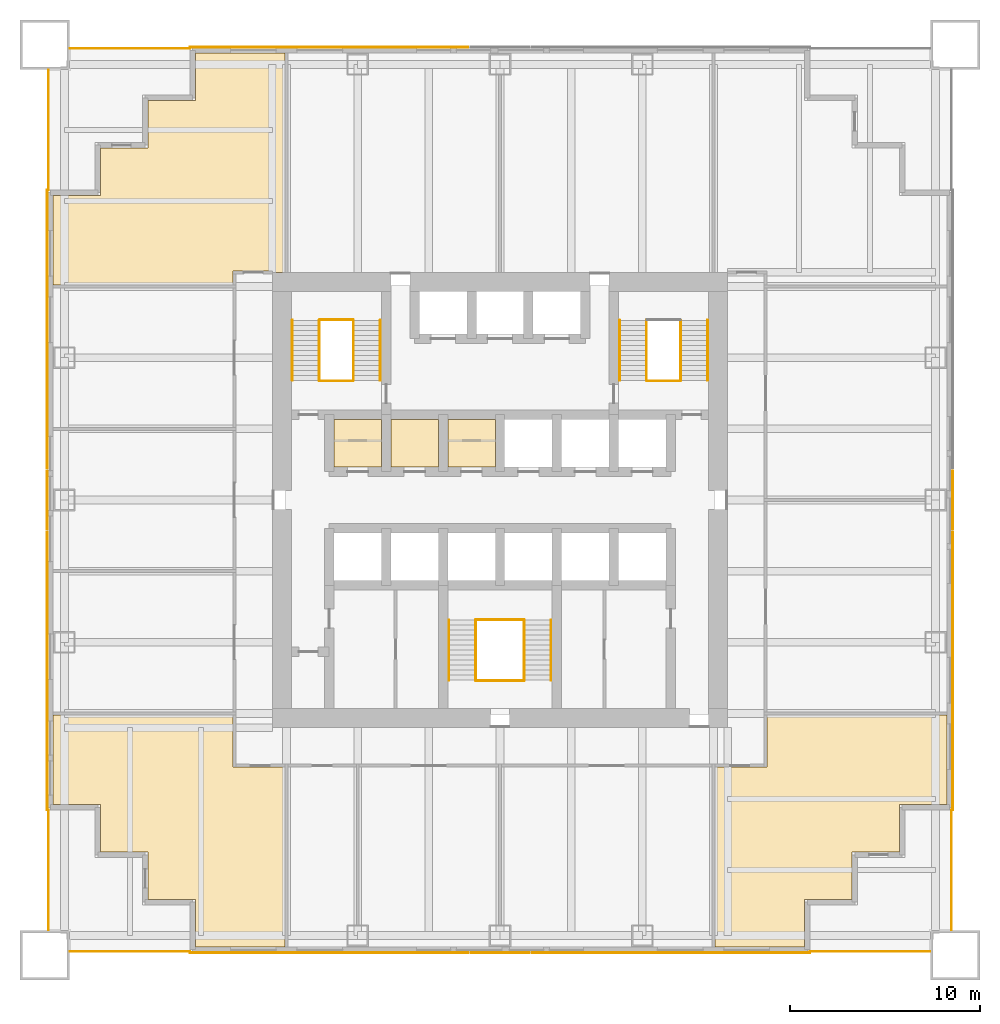
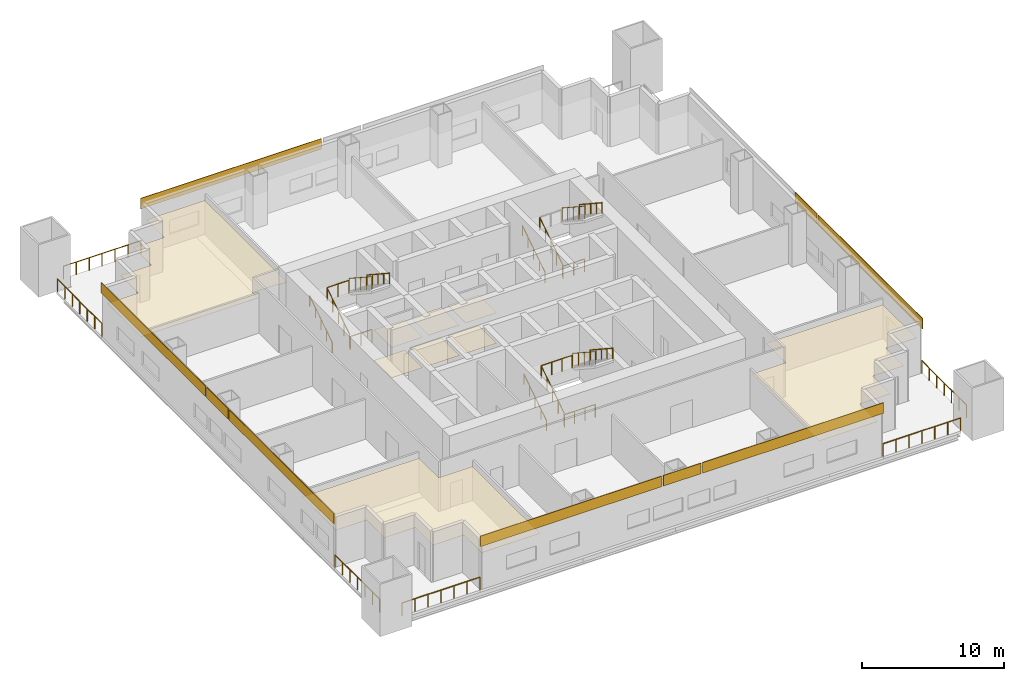
# One storey, part 6 of 7: 23 railings, 18 coverings.
"""IFC4 building model written with IfcOpenShell, lengths in metres."""

from ifc_helpers import new_model, si_unit, direction, frame, origin, origin_2d, place, context, subcontext, project, spatial, polyline, rectangle, circle, outline, extrude, material, layer, layer_set, type_object, element, save


model = new_model("IFC4")

# Units and contexts
model_context = context("Model", 3, precision=1e-05, world=origin(), true_north=direction((0.0, 1.0)))
body_context = subcontext(model_context, "Body", "Model", "MODEL_VIEW")
ifc_project = project(units=[si_unit("LENGTHUNIT", "METRE"), si_unit("AREAUNIT", "SQUARE_METRE"), si_unit("VOLUMEUNIT", "CUBIC_METRE"), si_unit("PLANEANGLEUNIT", "RADIAN"), si_unit("MASSUNIT", "GRAM", prefix="KILO")], contexts=[model_context])

# Site, building, storey
site_placement = place(None, origin())
site = spatial("IfcSite", under=ifc_project, at=site_placement, CompositionType="ELEMENT")
building_placement = place(site_placement, origin())
building = spatial("IfcBuilding", under=site, at=building_placement, Name="Tarangal Relay Tower", CompositionType="ELEMENT")
storey_placement = place(building_placement, frame((0.0, 0.0, 149.39990234375)))
storey = spatial("IfcBuildingStorey", under=building, at=storey_placement, Name="L30", CompositionType="ELEMENT", Elevation=149.39990234375)

# Coverings
ifc_material_1 = material(Name="Anti-static vinyl flooring", Category="plastic")
ifc_layer_1 = layer(ifc_material_1, 0.010009765625)
ifc_layer_set_1 = layer_set([ifc_layer_1], Name="Anti-static vinyl floor")
covering_type_1 = type_object("IfcCoveringType", Name="Anti-static vinyl floor", PredefinedType="FLOORING", material=ifc_layer_set_1)
covering_1_placement = place(storey_placement, origin())
element("IfcCovering", 1, at=covering_1_placement, inside=storey, type_object=covering_type_1, Name="Floor finish FL1 L30-D1", PredefinedType="FLOORING", context=body_context, shape_type="SweptSolid", body=[
    extrude(outline(polyline([(-8.75, 1.75), (-6.25, 1.75), (-6.25, 4.25), (-8.75, 4.25), (-8.75, 1.75)])), origin(), (0.0, 0.0, 1.0), 0.010009765625),
])
covering_2_placement = place(storey_placement, origin())
element("IfcCovering", 2, at=covering_2_placement, inside=storey, type_object=covering_type_1, Name="Floor finish FL1 L30-D2", PredefinedType="FLOORING", context=body_context, shape_type="SweptSolid", body=[
    extrude(outline(polyline([(-5.75, 1.75), (-3.25, 1.75), (-3.25, 4.25), (-5.75, 4.25), (-5.75, 1.75)])), origin(), (0.0, 0.0, 1.0), 0.010009765625),
])
covering_3_placement = place(storey_placement, origin())
element("IfcCovering", 3, at=covering_3_placement, inside=storey, type_object=covering_type_1, Name="Floor finish FL1 L30-D3", PredefinedType="FLOORING", context=body_context, shape_type="SweptSolid", body=[
    extrude(outline(polyline([(-2.75, 1.75), (-0.25, 1.75), (-0.25, 4.25), (-2.75, 4.25), (-2.75, 1.75)])), origin(), (0.0, 0.0, 1.0), 0.010009765625),
])
ifc_material_2 = material(Name="Black anodised aluminium cladding", Category="aluminium")
ifc_layer_2 = layer(ifc_material_2, 0.050048828125)
ifc_layer_set_2 = layer_set([ifc_layer_2], Name="Black metal spandrel band")
covering_type_2 = type_object("IfcCoveringType", Name="Black metal spandrel band", PredefinedType="CLADDING", material=ifc_layer_set_2)
covering_4_placement = place(storey_placement, frame((-9.010009765625, 23.875, 3.750244140625), z_axis=(0.0, 0.0, 1.0), x_axis=(1.0, 0.0, 0.0)))
element("IfcCovering", 4, at=covering_4_placement, inside=storey, type_object=covering_type_2, Name="Spandrel band SB1 N L30", PredefinedType="CLADDING", context=body_context, shape_type="SweptSolid", body=[
    extrude(rectangle(XDim=14.679931640625, YDim=0.050048828125, at=origin_2d()), origin(), (0.0, 0.0, 1.0), 0.89990234375),
])
covering_5_placement = place(storey_placement, frame((23.875, 0.0, 3.750244140625), z_axis=(0.0, 0.0, 1.0), x_axis=(0.0, -1.0, 0.0)))
element("IfcCovering", 5, at=covering_5_placement, inside=storey, type_object=covering_type_2, Name="Spandrel band SB1 E L30", PredefinedType="CLADDING", context=body_context, shape_type="SweptSolid", body=[
    extrude(rectangle(XDim=3.06005859375, YDim=0.050048828125, at=origin_2d()), origin(), (0.0, 0.0, 1.0), 0.89990234375),
])
for number, where, z_axis, x_axis, name in (
    (6, (23.875, -9.010009765625, 3.750244140625), (0.0, 0.0, 1.0), (0.0, -1.0, 0.0), "Spandrel band SB1 E L30"),
    (7, (9.010009765625, -23.875, 3.750244140625), (0.0, 0.0, 1.0), (-1.0, 0.0, 0.0), "Spandrel band SB1 S L30"),
):
    element("IfcCovering", number, at=place(storey_placement, frame(where, z_axis=z_axis, x_axis=x_axis)), inside=storey, type_object=covering_type_2, Name=name, PredefinedType="CLADDING", context=body_context, shape_type="SweptSolid", body=[
        extrude(rectangle(XDim=14.679931640625, YDim=0.050048828125, at=origin_2d()), origin(), (0.0, 0.0, 1.0), 0.89990234375),
    ])
covering_6_placement = place(storey_placement, frame((0.0, -23.875, 3.750244140625), z_axis=(0.0, 0.0, 1.0), x_axis=(-1.0, 0.0, 0.0)))
element("IfcCovering", 8, at=covering_6_placement, inside=storey, type_object=covering_type_2, Name="Spandrel band SB1 S L30", PredefinedType="CLADDING", context=body_context, shape_type="SweptSolid", body=[
    extrude(rectangle(XDim=3.06005859375, YDim=0.050048828125, at=origin_2d()), origin(), (0.0, 0.0, 1.0), 0.89990234375),
])
for number, where, z_axis, x_axis, name in (
    (9, (-9.010009765625, -23.875, 3.750244140625), (0.0, 0.0, 1.0), (-1.0, 0.0, 0.0), "Spandrel band SB1 S L30"),
    (10, (-23.875, -9.010009765625, 3.750244140625), (0.0, 0.0, 1.0), (0.0, 1.0, 0.0), "Spandrel band SB1 W L30"),
):
    element("IfcCovering", number, at=place(storey_placement, frame(where, z_axis=z_axis, x_axis=x_axis)), inside=storey, type_object=covering_type_2, Name=name, PredefinedType="CLADDING", context=body_context, shape_type="SweptSolid", body=[
        extrude(rectangle(XDim=14.679931640625, YDim=0.050048828125, at=origin_2d()), origin(), (0.0, 0.0, 1.0), 0.89990234375),
    ])
covering_7_placement = place(storey_placement, frame((-23.875, 0.0, 3.750244140625), z_axis=(0.0, 0.0, 1.0), x_axis=(0.0, 1.0, 0.0)))
element("IfcCovering", 11, at=covering_7_placement, inside=storey, type_object=covering_type_2, Name="Spandrel band SB1 W L30", PredefinedType="CLADDING", context=body_context, shape_type="SweptSolid", body=[
    extrude(rectangle(XDim=3.06005859375, YDim=0.050048828125, at=origin_2d()), origin(), (0.0, 0.0, 1.0), 0.89990234375),
])
covering_8_placement = place(storey_placement, frame((-23.875, 9.010009765625, 3.750244140625), z_axis=(0.0, 0.0, 1.0), x_axis=(0.0, 1.0, 0.0)))
element("IfcCovering", 12, at=covering_8_placement, inside=storey, type_object=covering_type_2, Name="Spandrel band SB1 W L30", PredefinedType="CLADDING", context=body_context, shape_type="SweptSolid", body=[
    extrude(rectangle(XDim=14.679931640625, YDim=0.050048828125, at=origin_2d()), origin(), (0.0, 0.0, 1.0), 0.89990234375),
])

# Railings
ifc_material_3 = material(Name="Steel guard, black finish", Category="steel")
railing_type_1 = type_object("IfcRailingType", Name="Stair guard 1100", PredefinedType="GUARDRAIL", material=ifc_material_3)
railing_1_placement = place(storey_placement, frame((-9.530029296875, 6.300048828125, 0.173095703125)))
element("IfcRailing", 13, at=railing_1_placement, inside=storey, type_object=railing_type_1, Name="Stair ST-A guard GR1 L30 flight 1", PredefinedType="GUARDRAIL", context=body_context, shape_type="SweptSolid", body=[
    extrude(circle(Radius=0.02392578125, at=origin_2d()), frame((0.0, 0.0, 1.076171875), z_axis=(0.0, 0.83629911093, 0.548273469226), x_axis=(-1.0, 0.0, 0.0)), (0.0, 0.0, 1.0), 3.7880859375),
    extrude(circle(Radius=0.02099609375, at=origin_2d()), origin(), (0.0, 0.0, 1.0), 1.052001953125),
    extrude(circle(Radius=0.02099609375, at=origin_2d()), frame((0.0, 0.7919921875, 0.519287109375)), (0.0, 0.0, 1.0), 1.052001953125),
    extrude(circle(Radius=0.02099609375, at=origin_2d()), frame((0.0, 1.583984375, 1.03857421875)), (0.0, 0.0, 1.0), 1.052001953125),
    extrude(circle(Radius=0.02099609375, at=origin_2d()), frame((0.0, 2.3759765625, 1.5576171875)), (0.0, 0.0, 1.0), 1.052001953125),
    extrude(circle(Radius=0.02099609375, at=origin_2d()), frame((0.0, 3.16796875, 2.076904296875)), (0.0, 0.0, 1.0), 1.052001953125),
])
railing_2_placement = place(storey_placement, frame((-7.719970703125, 9.468017578125, 2.423095703125)))
element("IfcRailing", 14, at=railing_2_placement, inside=storey, type_object=railing_type_1, Name="Stair ST-A guard GR1 L30 flight 2", PredefinedType="GUARDRAIL", context=body_context, shape_type="SweptSolid", body=[
    extrude(circle(Radius=0.02392578125, at=origin_2d()), frame((0.0, 0.0, 1.076171875), z_axis=(0.0, -0.83629911093, 0.548273469226), x_axis=(1.0, 0.0, 0.0)), (0.0, 0.0, 1.0), 3.7880859375),
    extrude(circle(Radius=0.02099609375, at=origin_2d()), origin(), (0.0, 0.0, 1.0), 1.052001953125),
    extrude(circle(Radius=0.02099609375, at=origin_2d()), frame((0.0, -0.7919921875, 0.519287109375)), (0.0, 0.0, 1.0), 1.052001953125),
    extrude(circle(Radius=0.02099609375, at=origin_2d()), frame((0.0, -1.583984375, 1.03857421875)), (0.0, 0.0, 1.0), 1.052001953125),
    extrude(circle(Radius=0.02099609375, at=origin_2d()), frame((0.0, -2.3759765625, 1.5576171875)), (0.0, 0.0, 1.0), 1.052001953125),
    extrude(circle(Radius=0.02099609375, at=origin_2d()), frame((0.0, -3.16796875, 2.076904296875)), (0.0, 0.0, 1.0), 1.052001953125),
])
for number, where, name in (
    (15, (-9.5, 6.27001953125, 0.0), "Stair ST-A landing guard GR1 L30"),
    (16, (-9.5, 9.498046875, 2.25), "Stair ST-A landing guard GR1 L30"),
):
    element("IfcRailing", number, at=place(storey_placement, frame(where)), inside=storey, type_object=railing_type_1, Name=name, PredefinedType="GUARDRAIL", context=body_context, shape_type="SweptSolid", body=[
        extrude(circle(Radius=0.02392578125, at=origin_2d()), frame((0.0, 0.0, 1.076171875), z_axis=(1.0, 0.0, 0.0), x_axis=(0.0, 1.0, 0.0)), (0.0, 0.0, 1.0), 1.75),
        extrude(circle(Radius=0.02099609375, at=origin_2d()), origin(), (0.0, 0.0, 1.0), 1.052001953125),
        extrude(circle(Radius=0.02099609375, at=origin_2d()), frame((0.875, 0.0, 0.0)), (0.0, 0.0, 1.0), 1.052001953125),
        extrude(circle(Radius=0.02099609375, at=origin_2d()), frame((1.75, 0.0, 0.0)), (0.0, 0.0, 1.0), 1.052001953125),
    ])
railing_3_placement = place(storey_placement, frame((7.719970703125, 6.300048828125, 0.173095703125)))
element("IfcRailing", 17, at=railing_3_placement, inside=storey, type_object=railing_type_1, Name="Stair ST-B guard GR1 L30 flight 1", PredefinedType="GUARDRAIL", context=body_context, shape_type="SweptSolid", body=[
    extrude(circle(Radius=0.02392578125, at=origin_2d()), frame((0.0, 0.0, 1.076171875), z_axis=(0.0, 0.83629911093, 0.548273469226), x_axis=(-1.0, 0.0, 0.0)), (0.0, 0.0, 1.0), 3.7880859375),
    extrude(circle(Radius=0.02099609375, at=origin_2d()), origin(), (0.0, 0.0, 1.0), 1.052001953125),
    extrude(circle(Radius=0.02099609375, at=origin_2d()), frame((0.0, 0.7919921875, 0.519287109375)), (0.0, 0.0, 1.0), 1.052001953125),
    extrude(circle(Radius=0.02099609375, at=origin_2d()), frame((0.0, 1.583984375, 1.03857421875)), (0.0, 0.0, 1.0), 1.052001953125),
    extrude(circle(Radius=0.02099609375, at=origin_2d()), frame((0.0, 2.3759765625, 1.5576171875)), (0.0, 0.0, 1.0), 1.052001953125),
    extrude(circle(Radius=0.02099609375, at=origin_2d()), frame((0.0, 3.16796875, 2.076904296875)), (0.0, 0.0, 1.0), 1.052001953125),
])
railing_4_placement = place(storey_placement, frame((9.530029296875, 9.468017578125, 2.423095703125)))
element("IfcRailing", 18, at=railing_4_placement, inside=storey, type_object=railing_type_1, Name="Stair ST-B guard GR1 L30 flight 2", PredefinedType="GUARDRAIL", context=body_context, shape_type="SweptSolid", body=[
    extrude(circle(Radius=0.02392578125, at=origin_2d()), frame((0.0, 0.0, 1.076171875), z_axis=(0.0, -0.83629911093, 0.548273469226), x_axis=(1.0, 0.0, 0.0)), (0.0, 0.0, 1.0), 3.7880859375),
    extrude(circle(Radius=0.02099609375, at=origin_2d()), origin(), (0.0, 0.0, 1.0), 1.052001953125),
    extrude(circle(Radius=0.02099609375, at=origin_2d()), frame((0.0, -0.7919921875, 0.519287109375)), (0.0, 0.0, 1.0), 1.052001953125),
    extrude(circle(Radius=0.02099609375, at=origin_2d()), frame((0.0, -1.583984375, 1.03857421875)), (0.0, 0.0, 1.0), 1.052001953125),
    extrude(circle(Radius=0.02099609375, at=origin_2d()), frame((0.0, -2.3759765625, 1.5576171875)), (0.0, 0.0, 1.0), 1.052001953125),
    extrude(circle(Radius=0.02099609375, at=origin_2d()), frame((0.0, -3.16796875, 2.076904296875)), (0.0, 0.0, 1.0), 1.052001953125),
])
railing_5_placement = place(storey_placement, frame((7.75, 6.27001953125, 0.0)))
element("IfcRailing", 19, at=railing_5_placement, inside=storey, type_object=railing_type_1, Name="Stair ST-B landing guard GR1 L30", PredefinedType="GUARDRAIL", context=body_context, shape_type="SweptSolid", body=[
    extrude(circle(Radius=0.02392578125, at=origin_2d()), frame((0.0, 0.0, 1.076171875), z_axis=(1.0, 0.0, 0.0), x_axis=(0.0, 1.0, 0.0)), (0.0, 0.0, 1.0), 1.75),
    extrude(circle(Radius=0.02099609375, at=origin_2d()), origin(), (0.0, 0.0, 1.0), 1.052001953125),
    extrude(circle(Radius=0.02099609375, at=origin_2d()), frame((0.875, 0.0, 0.0)), (0.0, 0.0, 1.0), 1.052001953125),
    extrude(circle(Radius=0.02099609375, at=origin_2d()), frame((1.75, 0.0, 0.0)), (0.0, 0.0, 1.0), 1.052001953125),
])
railing_6_placement = place(storey_placement, frame((-1.280029296875, -9.5, 0.173095703125)))
element("IfcRailing", 20, at=railing_6_placement, inside=storey, type_object=railing_type_1, Name="Stair ST-C guard GR1 L30 flight 1", PredefinedType="GUARDRAIL", context=body_context, shape_type="SweptSolid", body=[
    extrude(circle(Radius=0.02392578125, at=origin_2d()), frame((0.0, 0.0, 1.076171875), z_axis=(0.0, 0.83629911093, 0.548273469226), x_axis=(-1.0, 0.0, 0.0)), (0.0, 0.0, 1.0), 3.7880859375),
    extrude(circle(Radius=0.02099609375, at=origin_2d()), origin(), (0.0, 0.0, 1.0), 1.052001953125),
    extrude(circle(Radius=0.02099609375, at=origin_2d()), frame((0.0, 0.7919921875, 0.519287109375)), (0.0, 0.0, 1.0), 1.052001953125),
    extrude(circle(Radius=0.02099609375, at=origin_2d()), frame((0.0, 1.583984375, 1.03857421875)), (0.0, 0.0, 1.0), 1.052001953125),
    extrude(circle(Radius=0.02099609375, at=origin_2d()), frame((0.0, 2.3759765625, 1.5576171875)), (0.0, 0.0, 1.0), 1.052001953125),
    extrude(circle(Radius=0.02099609375, at=origin_2d()), frame((0.0, 3.16796875, 2.076904296875)), (0.0, 0.0, 1.0), 1.052001953125),
])
railing_7_placement = place(storey_placement, frame((1.280029296875, -6.33203125, 2.423095703125)))
element("IfcRailing", 21, at=railing_7_placement, inside=storey, type_object=railing_type_1, Name="Stair ST-C guard GR1 L30 flight 2", PredefinedType="GUARDRAIL", context=body_context, shape_type="SweptSolid", body=[
    extrude(circle(Radius=0.02392578125, at=origin_2d()), frame((0.0, 0.0, 1.076171875), z_axis=(0.0, -0.83629911093, 0.548273469226), x_axis=(1.0, 0.0, 0.0)), (0.0, 0.0, 1.0), 3.7880859375),
    extrude(circle(Radius=0.02099609375, at=origin_2d()), origin(), (0.0, 0.0, 1.0), 1.052001953125),
    extrude(circle(Radius=0.02099609375, at=origin_2d()), frame((0.0, -0.7919921875, 0.519287109375)), (0.0, 0.0, 1.0), 1.052001953125),
    extrude(circle(Radius=0.02099609375, at=origin_2d()), frame((0.0, -1.583984375, 1.03857421875)), (0.0, 0.0, 1.0), 1.052001953125),
    extrude(circle(Radius=0.02099609375, at=origin_2d()), frame((0.0, -2.3759765625, 1.5576171875)), (0.0, 0.0, 1.0), 1.052001953125),
    extrude(circle(Radius=0.02099609375, at=origin_2d()), frame((0.0, -3.16796875, 2.076904296875)), (0.0, 0.0, 1.0), 1.052001953125),
])
for number, where, name in (
    (22, (-1.25, -9.530029296875, 0.0), "Stair ST-C landing guard GR1 L30"),
    (23, (-1.25, -6.302001953125, 2.25), "Stair ST-C landing guard GR1 L30"),
):
    element("IfcRailing", number, at=place(storey_placement, frame(where)), inside=storey, type_object=railing_type_1, Name=name, PredefinedType="GUARDRAIL", context=body_context, shape_type="SweptSolid", body=[
        extrude(circle(Radius=0.02392578125, at=origin_2d()), frame((0.0, 0.0, 1.076171875), z_axis=(1.0, 0.0, 0.0), x_axis=(0.0, 1.0, 0.0)), (0.0, 0.0, 1.0), 2.5),
        extrude(circle(Radius=0.02099609375, at=origin_2d()), origin(), (0.0, 0.0, 1.0), 1.052001953125),
        extrude(circle(Radius=0.02099609375, at=origin_2d()), frame((0.833251953125, 0.0, 0.0)), (0.0, 0.0, 1.0), 1.052001953125),
        extrude(circle(Radius=0.02099609375, at=origin_2d()), frame((1.666748046875, 0.0, 0.0)), (0.0, 0.0, 1.0), 1.052001953125),
        extrude(circle(Radius=0.02099609375, at=origin_2d()), frame((2.5, 0.0, 0.0)), (0.0, 0.0, 1.0), 1.052001953125),
    ])
ifc_material_4 = material(Name="Steel handrail, black finish", Category="steel")
railing_type_2 = type_object("IfcRailingType", Name="Stair handrail 900", PredefinedType="HANDRAIL", material=ifc_material_4)
railing_8_placement = place(storey_placement, frame((-10.93994140625, 6.300048828125, 0.173095703125)))
element("IfcRailing", 24, at=railing_8_placement, inside=storey, type_object=railing_type_2, Name="Stair ST-A handrail HR1 L30 flight 1", PredefinedType="HANDRAIL", context=body_context, shape_type="SweptSolid", body=[
    extrude(circle(Radius=0.02392578125, at=origin_2d()), frame((0.0, 0.0, 0.8759765625), z_axis=(0.0, 0.83629911093, 0.548273469226), x_axis=(-1.0, 0.0, 0.0)), (0.0, 0.0, 1.0), 3.7880859375),
    extrude(circle(Radius=0.02099609375, at=origin_2d()), origin(), (0.0, 0.0, 1.0), 0.851806640625),
    extrude(circle(Radius=0.02099609375, at=origin_2d()), frame((0.0, 0.7919921875, 0.519287109375)), (0.0, 0.0, 1.0), 0.851806640625),
    extrude(circle(Radius=0.02099609375, at=origin_2d()), frame((0.0, 1.583984375, 1.03857421875)), (0.0, 0.0, 1.0), 0.851806640625),
    extrude(circle(Radius=0.02099609375, at=origin_2d()), frame((0.0, 2.3759765625, 1.5576171875)), (0.0, 0.0, 1.0), 0.851806640625),
    extrude(circle(Radius=0.02099609375, at=origin_2d()), frame((0.0, 3.16796875, 2.076904296875)), (0.0, 0.0, 1.0), 0.851806640625),
])
railing_9_placement = place(storey_placement, frame((-6.31005859375, 9.468017578125, 2.423095703125)))
element("IfcRailing", 25, at=railing_9_placement, inside=storey, type_object=railing_type_2, Name="Stair ST-A handrail HR1 L30 flight 2", PredefinedType="HANDRAIL", context=body_context, shape_type="SweptSolid", body=[
    extrude(circle(Radius=0.02392578125, at=origin_2d()), frame((0.0, 0.0, 0.8759765625), z_axis=(0.0, -0.83629911093, 0.548273469226), x_axis=(1.0, 0.0, 0.0)), (0.0, 0.0, 1.0), 3.7880859375),
    extrude(circle(Radius=0.02099609375, at=origin_2d()), origin(), (0.0, 0.0, 1.0), 0.851806640625),
    extrude(circle(Radius=0.02099609375, at=origin_2d()), frame((0.0, -0.7919921875, 0.519287109375)), (0.0, 0.0, 1.0), 0.851806640625),
    extrude(circle(Radius=0.02099609375, at=origin_2d()), frame((0.0, -1.583984375, 1.03857421875)), (0.0, 0.0, 1.0), 0.851806640625),
    extrude(circle(Radius=0.02099609375, at=origin_2d()), frame((0.0, -2.3759765625, 1.5576171875)), (0.0, 0.0, 1.0), 0.851806640625),
    extrude(circle(Radius=0.02099609375, at=origin_2d()), frame((0.0, -3.16796875, 2.076904296875)), (0.0, 0.0, 1.0), 0.851806640625),
])
railing_10_placement = place(storey_placement, frame((6.31005859375, 6.300048828125, 0.173095703125)))
element("IfcRailing", 26, at=railing_10_placement, inside=storey, type_object=railing_type_2, Name="Stair ST-B handrail HR1 L30 flight 1", PredefinedType="HANDRAIL", context=body_context, shape_type="SweptSolid", body=[
    extrude(circle(Radius=0.02392578125, at=origin_2d()), frame((0.0, 0.0, 0.8759765625), z_axis=(0.0, 0.83629911093, 0.548273469226), x_axis=(-1.0, 0.0, 0.0)), (0.0, 0.0, 1.0), 3.7880859375),
    extrude(circle(Radius=0.02099609375, at=origin_2d()), origin(), (0.0, 0.0, 1.0), 0.851806640625),
    extrude(circle(Radius=0.02099609375, at=origin_2d()), frame((0.0, 0.7919921875, 0.519287109375)), (0.0, 0.0, 1.0), 0.851806640625),
    extrude(circle(Radius=0.02099609375, at=origin_2d()), frame((0.0, 1.583984375, 1.03857421875)), (0.0, 0.0, 1.0), 0.851806640625),
    extrude(circle(Radius=0.02099609375, at=origin_2d()), frame((0.0, 2.3759765625, 1.5576171875)), (0.0, 0.0, 1.0), 0.851806640625),
    extrude(circle(Radius=0.02099609375, at=origin_2d()), frame((0.0, 3.16796875, 2.076904296875)), (0.0, 0.0, 1.0), 0.851806640625),
])
railing_11_placement = place(storey_placement, frame((10.93994140625, 9.468017578125, 2.423095703125)))
element("IfcRailing", 27, at=railing_11_placement, inside=storey, type_object=railing_type_2, Name="Stair ST-B handrail HR1 L30 flight 2", PredefinedType="HANDRAIL", context=body_context, shape_type="SweptSolid", body=[
    extrude(circle(Radius=0.02392578125, at=origin_2d()), frame((0.0, 0.0, 0.8759765625), z_axis=(0.0, -0.83629911093, 0.548273469226), x_axis=(1.0, 0.0, 0.0)), (0.0, 0.0, 1.0), 3.7880859375),
    extrude(circle(Radius=0.02099609375, at=origin_2d()), origin(), (0.0, 0.0, 1.0), 0.851806640625),
    extrude(circle(Radius=0.02099609375, at=origin_2d()), frame((0.0, -0.7919921875, 0.519287109375)), (0.0, 0.0, 1.0), 0.851806640625),
    extrude(circle(Radius=0.02099609375, at=origin_2d()), frame((0.0, -1.583984375, 1.03857421875)), (0.0, 0.0, 1.0), 0.851806640625),
    extrude(circle(Radius=0.02099609375, at=origin_2d()), frame((0.0, -2.3759765625, 1.5576171875)), (0.0, 0.0, 1.0), 0.851806640625),
    extrude(circle(Radius=0.02099609375, at=origin_2d()), frame((0.0, -3.16796875, 2.076904296875)), (0.0, 0.0, 1.0), 0.851806640625),
])
railing_12_placement = place(storey_placement, frame((-2.68994140625, -9.5, 0.173095703125)))
element("IfcRailing", 28, at=railing_12_placement, inside=storey, type_object=railing_type_2, Name="Stair ST-C handrail HR1 L30 flight 1", PredefinedType="HANDRAIL", context=body_context, shape_type="SweptSolid", body=[
    extrude(circle(Radius=0.02392578125, at=origin_2d()), frame((0.0, 0.0, 0.8759765625), z_axis=(0.0, 0.83629911093, 0.548273469226), x_axis=(-1.0, 0.0, 0.0)), (0.0, 0.0, 1.0), 3.7880859375),
    extrude(circle(Radius=0.02099609375, at=origin_2d()), origin(), (0.0, 0.0, 1.0), 0.851806640625),
    extrude(circle(Radius=0.02099609375, at=origin_2d()), frame((0.0, 0.7919921875, 0.519287109375)), (0.0, 0.0, 1.0), 0.851806640625),
    extrude(circle(Radius=0.02099609375, at=origin_2d()), frame((0.0, 1.583984375, 1.03857421875)), (0.0, 0.0, 1.0), 0.851806640625),
    extrude(circle(Radius=0.02099609375, at=origin_2d()), frame((0.0, 2.3759765625, 1.5576171875)), (0.0, 0.0, 1.0), 0.851806640625),
    extrude(circle(Radius=0.02099609375, at=origin_2d()), frame((0.0, 3.16796875, 2.076904296875)), (0.0, 0.0, 1.0), 0.851806640625),
])
railing_13_placement = place(storey_placement, frame((2.68994140625, -6.33203125, 2.423095703125)))
element("IfcRailing", 29, at=railing_13_placement, inside=storey, type_object=railing_type_2, Name="Stair ST-C handrail HR1 L30 flight 2", PredefinedType="HANDRAIL", context=body_context, shape_type="SweptSolid", body=[
    extrude(circle(Radius=0.02392578125, at=origin_2d()), frame((0.0, 0.0, 0.8759765625), z_axis=(0.0, -0.83629911093, 0.548273469226), x_axis=(1.0, 0.0, 0.0)), (0.0, 0.0, 1.0), 3.7880859375),
    extrude(circle(Radius=0.02099609375, at=origin_2d()), origin(), (0.0, 0.0, 1.0), 0.851806640625),
    extrude(circle(Radius=0.02099609375, at=origin_2d()), frame((0.0, -0.7919921875, 0.519287109375)), (0.0, 0.0, 1.0), 0.851806640625),
    extrude(circle(Radius=0.02099609375, at=origin_2d()), frame((0.0, -1.583984375, 1.03857421875)), (0.0, 0.0, 1.0), 0.851806640625),
    extrude(circle(Radius=0.02099609375, at=origin_2d()), frame((0.0, -2.3759765625, 1.5576171875)), (0.0, 0.0, 1.0), 0.851806640625),
    extrude(circle(Radius=0.02099609375, at=origin_2d()), frame((0.0, -3.16796875, 2.076904296875)), (0.0, 0.0, 1.0), 0.851806640625),
])

# Coverings
ifc_material_5 = material(Name="Mineral fibre ceiling tiles", Category="gypsum")
ifc_layer_3 = layer(ifc_material_5, 0.02001953125)
ifc_layer_set_3 = layer_set([ifc_layer_3], Name="Suspended ceiling")
covering_type_3 = type_object("IfcCoveringType", Name="Suspended ceiling", PredefinedType="CEILING", material=ifc_layer_set_3)
covering_9_placement = place(storey_placement, frame((0.0, 0.0, 2.60009765625)))
element("IfcCovering", 30, at=covering_9_placement, inside=storey, type_object=covering_type_3, Name="Suspended ceiling CL1 L30-D1", PredefinedType="CEILING", context=body_context, shape_type="SweptSolid", body=[
    extrude(outline(polyline([(-8.75, 1.75), (-6.25, 1.75), (-6.25, 4.25), (-8.75, 4.25), (-8.75, 1.75)])), origin(), (0.0, 0.0, 1.0), 0.02001953125),
])
covering_10_placement = place(storey_placement, frame((0.0, 0.0, 2.60009765625)))
element("IfcCovering", 31, at=covering_10_placement, inside=storey, type_object=covering_type_3, Name="Suspended ceiling CL1 L30-D2", PredefinedType="CEILING", context=body_context, shape_type="SweptSolid", body=[
    extrude(outline(polyline([(-5.75, 1.75), (-3.25, 1.75), (-3.25, 4.25), (-5.75, 4.25), (-5.75, 1.75)])), origin(), (0.0, 0.0, 1.0), 0.02001953125),
])
covering_11_placement = place(storey_placement, frame((0.0, 0.0, 2.60009765625)))
element("IfcCovering", 32, at=covering_11_placement, inside=storey, type_object=covering_type_3, Name="Suspended ceiling CL1 L30-D3", PredefinedType="CEILING", context=body_context, shape_type="SweptSolid", body=[
    extrude(outline(polyline([(-2.75, 1.75), (-0.25, 1.75), (-0.25, 4.25), (-2.75, 4.25), (-2.75, 1.75)])), origin(), (0.0, 0.0, 1.0), 0.02001953125),
])
covering_12_placement = place(storey_placement, frame((0.0, 0.0, 2.900146484375)))
element("IfcCovering", 33, at=covering_12_placement, inside=storey, type_object=covering_type_3, Name="Suspended ceiling CL1 L30-13", PredefinedType="CEILING", context=body_context, shape_type="SweptSolid", body=[
    extrude(outline(polyline([(23.550048828125, -16.050048828125), (23.550048828125, -11.324951171875), (14.074951171875, -11.324951171875), (14.074951171875, -14.074951171875), (11.324951171875, -14.074951171875), (11.324951171875, -23.550048828125), (16.050048828125, -23.550048828125), (16.050048828125, -21.050048828125), (18.550048828125, -21.050048828125), (18.550048828125, -18.550048828125), (21.050048828125, -18.550048828125), (21.050048828125, -16.050048828125), (23.550048828125, -16.050048828125)])), origin(), (0.0, 0.0, 1.0), 0.02001953125),
])
covering_13_placement = place(storey_placement, frame((0.0, 0.0, 2.900146484375)))
element("IfcCovering", 34, at=covering_13_placement, inside=storey, type_object=covering_type_3, Name="Suspended ceiling CL1 L30-14", PredefinedType="CEILING", context=body_context, shape_type="SweptSolid", body=[
    extrude(outline(polyline([(-16.050048828125, -21.050048828125), (-16.050048828125, -23.550048828125), (-11.324951171875, -23.550048828125), (-11.324951171875, -14.074951171875), (-14.074951171875, -14.074951171875), (-14.074951171875, -11.324951171875), (-23.550048828125, -11.324951171875), (-23.550048828125, -16.050048828125), (-21.050048828125, -16.050048828125), (-21.050048828125, -18.550048828125), (-18.550048828125, -18.550048828125), (-18.550048828125, -21.050048828125), (-16.050048828125, -21.050048828125)])), origin(), (0.0, 0.0, 1.0), 0.02001953125),
])
covering_14_placement = place(storey_placement, frame((0.0, 0.0, 2.900146484375)))
element("IfcCovering", 35, at=covering_14_placement, inside=storey, type_object=covering_type_3, Name="Suspended ceiling CL1 L30-15", PredefinedType="CEILING", context=body_context, shape_type="SweptSolid", body=[
    extrude(outline(polyline([(-21.050048828125, 16.050048828125), (-23.550048828125, 16.050048828125), (-23.550048828125, 11.324951171875), (-14.074951171875, 11.324951171875), (-14.074951171875, 12.074951171875), (-12.0, 12.074951171875), (-12.0, 12.0), (-11.324951171875, 12.0), (-11.324951171875, 23.550048828125), (-16.050048828125, 23.550048828125), (-16.050048828125, 21.050048828125), (-18.550048828125, 21.050048828125), (-18.550048828125, 18.550048828125), (-21.050048828125, 18.550048828125), (-21.050048828125, 16.050048828125)])), origin(), (0.0, 0.0, 1.0), 0.02001953125),
])

# Railings
ifc_material_6 = material(Name="Black steel guard with glass infill", Category="steel")
railing_type_3 = type_object("IfcRailingType", Name="Terrace guard 1100", PredefinedType="GUARDRAIL", material=ifc_material_6)
railing_14_placement = place(storey_placement, frame((23.800048828125, -16.35009765625, 0.0)))
element("IfcRailing", 36, at=railing_14_placement, inside=storey, type_object=railing_type_3, Name="Terrace guard GR2 SE L30", PredefinedType="GUARDRAIL", context=body_context, shape_type="SweptSolid", body=[
    extrude(circle(Radius=0.02392578125, at=origin_2d()), frame((0.0, 0.0, 1.076171875), z_axis=(0.0, -1.0, 0.0), x_axis=(1.0, 0.0, 0.0)), (0.0, 0.0, 1.0), 6.2998046875),
    extrude(circle(Radius=0.02099609375, at=origin_2d()), origin(), (0.0, 0.0, 1.0), 1.052001953125),
    extrude(circle(Radius=0.02099609375, at=origin_2d()), frame((0.0, -1.050048828125, 0.0)), (0.0, 0.0, 1.0), 1.052001953125),
    extrude(circle(Radius=0.02099609375, at=origin_2d()), frame((0.0, -2.099853515625, 0.0)), (0.0, 0.0, 1.0), 1.052001953125),
    extrude(circle(Radius=0.02099609375, at=origin_2d()), frame((0.0, -3.14990234375, 0.0)), (0.0, 0.0, 1.0), 1.052001953125),
    extrude(circle(Radius=0.02099609375, at=origin_2d()), frame((0.0, -4.199951171875, 0.0)), (0.0, 0.0, 1.0), 1.052001953125),
    extrude(circle(Radius=0.02099609375, at=origin_2d()), frame((0.0, -5.249755859375, 0.0)), (0.0, 0.0, 1.0), 1.052001953125),
    extrude(circle(Radius=0.02099609375, at=origin_2d()), frame((0.0, -6.2998046875, 0.0)), (0.0, 0.0, 1.0), 1.052001953125),
])
for number, where, name in (
    (37, (22.64990234375, -23.800048828125, 0.0), "Terrace guard GR2 SE L30"),
    (38, (-16.35009765625, -23.800048828125, 0.0), "Terrace guard GR2 SW L30"),
):
    element("IfcRailing", number, at=place(storey_placement, frame(where)), inside=storey, type_object=railing_type_3, Name=name, PredefinedType="GUARDRAIL", context=body_context, shape_type="SweptSolid", body=[
        extrude(circle(Radius=0.02392578125, at=origin_2d()), frame((0.0, 0.0, 1.076171875), z_axis=(-1.0, 0.0, 0.0), x_axis=(0.0, -1.0, 0.0)), (0.0, 0.0, 1.0), 6.2998046875),
        extrude(circle(Radius=0.02099609375, at=origin_2d()), origin(), (0.0, 0.0, 1.0), 1.052001953125),
        extrude(circle(Radius=0.02099609375, at=origin_2d()), frame((-1.050048828125, 0.0, 0.0)), (0.0, 0.0, 1.0), 1.052001953125),
        extrude(circle(Radius=0.02099609375, at=origin_2d()), frame((-2.099853515625, 0.0, 0.0)), (0.0, 0.0, 1.0), 1.052001953125),
        extrude(circle(Radius=0.02099609375, at=origin_2d()), frame((-3.14990234375, 0.0, 0.0)), (0.0, 0.0, 1.0), 1.052001953125),
        extrude(circle(Radius=0.02099609375, at=origin_2d()), frame((-4.199951171875, 0.0, 0.0)), (0.0, 0.0, 1.0), 1.052001953125),
        extrude(circle(Radius=0.02099609375, at=origin_2d()), frame((-5.249755859375, 0.0, 0.0)), (0.0, 0.0, 1.0), 1.052001953125),
        extrude(circle(Radius=0.02099609375, at=origin_2d()), frame((-6.2998046875, 0.0, 0.0)), (0.0, 0.0, 1.0), 1.052001953125),
    ])
for number, where, name in (
    (39, (-23.800048828125, -22.64990234375, 0.0), "Terrace guard GR2 SW L30"),
    (40, (-23.800048828125, 16.35009765625, 0.0), "Terrace guard GR2 NW L30"),
):
    element("IfcRailing", number, at=place(storey_placement, frame(where)), inside=storey, type_object=railing_type_3, Name=name, PredefinedType="GUARDRAIL", context=body_context, shape_type="SweptSolid", body=[
        extrude(circle(Radius=0.02392578125, at=origin_2d()), frame((0.0, 0.0, 1.076171875), z_axis=(0.0, 1.0, 0.0), x_axis=(-1.0, 0.0, 0.0)), (0.0, 0.0, 1.0), 6.2998046875),
        extrude(circle(Radius=0.02099609375, at=origin_2d()), origin(), (0.0, 0.0, 1.0), 1.052001953125),
        extrude(circle(Radius=0.02099609375, at=origin_2d()), frame((0.0, 1.050048828125, 0.0)), (0.0, 0.0, 1.0), 1.052001953125),
        extrude(circle(Radius=0.02099609375, at=origin_2d()), frame((0.0, 2.099853515625, 0.0)), (0.0, 0.0, 1.0), 1.052001953125),
        extrude(circle(Radius=0.02099609375, at=origin_2d()), frame((0.0, 3.14990234375, 0.0)), (0.0, 0.0, 1.0), 1.052001953125),
        extrude(circle(Radius=0.02099609375, at=origin_2d()), frame((0.0, 4.199951171875, 0.0)), (0.0, 0.0, 1.0), 1.052001953125),
        extrude(circle(Radius=0.02099609375, at=origin_2d()), frame((0.0, 5.249755859375, 0.0)), (0.0, 0.0, 1.0), 1.052001953125),
        extrude(circle(Radius=0.02099609375, at=origin_2d()), frame((0.0, 6.2998046875, 0.0)), (0.0, 0.0, 1.0), 1.052001953125),
    ])
railing_15_placement = place(storey_placement, frame((-22.64990234375, 23.800048828125, 0.0)))
element("IfcRailing", 41, at=railing_15_placement, inside=storey, type_object=railing_type_3, Name="Terrace guard GR2 NW L30", PredefinedType="GUARDRAIL", context=body_context, shape_type="SweptSolid", body=[
    extrude(circle(Radius=0.02392578125, at=origin_2d()), frame((0.0, 0.0, 1.076171875), z_axis=(1.0, 0.0, 0.0), x_axis=(0.0, 1.0, 0.0)), (0.0, 0.0, 1.0), 6.2998046875),
    extrude(circle(Radius=0.02099609375, at=origin_2d()), origin(), (0.0, 0.0, 1.0), 1.052001953125),
    extrude(circle(Radius=0.02099609375, at=origin_2d()), frame((1.050048828125, 0.0, 0.0)), (0.0, 0.0, 1.0), 1.052001953125),
    extrude(circle(Radius=0.02099609375, at=origin_2d()), frame((2.099853515625, 0.0, 0.0)), (0.0, 0.0, 1.0), 1.052001953125),
    extrude(circle(Radius=0.02099609375, at=origin_2d()), frame((3.14990234375, 0.0, 0.0)), (0.0, 0.0, 1.0), 1.052001953125),
    extrude(circle(Radius=0.02099609375, at=origin_2d()), frame((4.199951171875, 0.0, 0.0)), (0.0, 0.0, 1.0), 1.052001953125),
    extrude(circle(Radius=0.02099609375, at=origin_2d()), frame((5.249755859375, 0.0, 0.0)), (0.0, 0.0, 1.0), 1.052001953125),
    extrude(circle(Radius=0.02099609375, at=origin_2d()), frame((6.2998046875, 0.0, 0.0)), (0.0, 0.0, 1.0), 1.052001953125),
])

save(model, "model.ifc")
